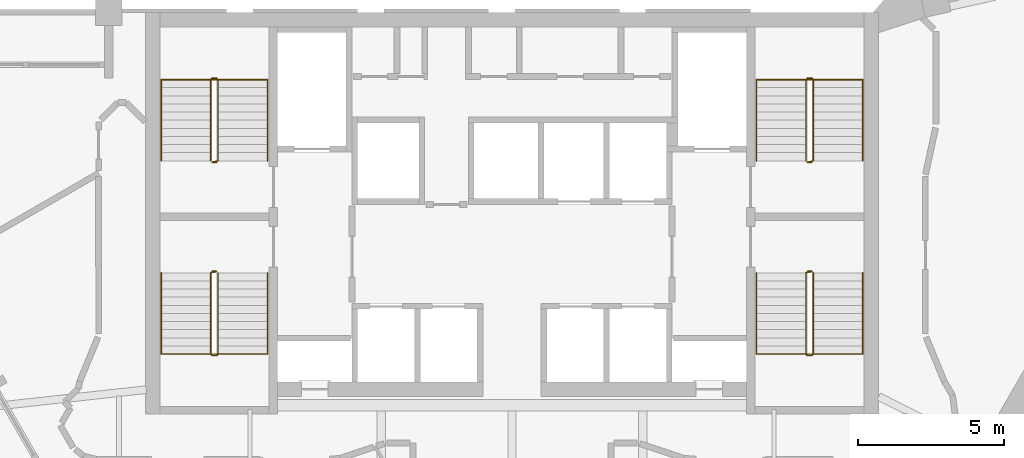
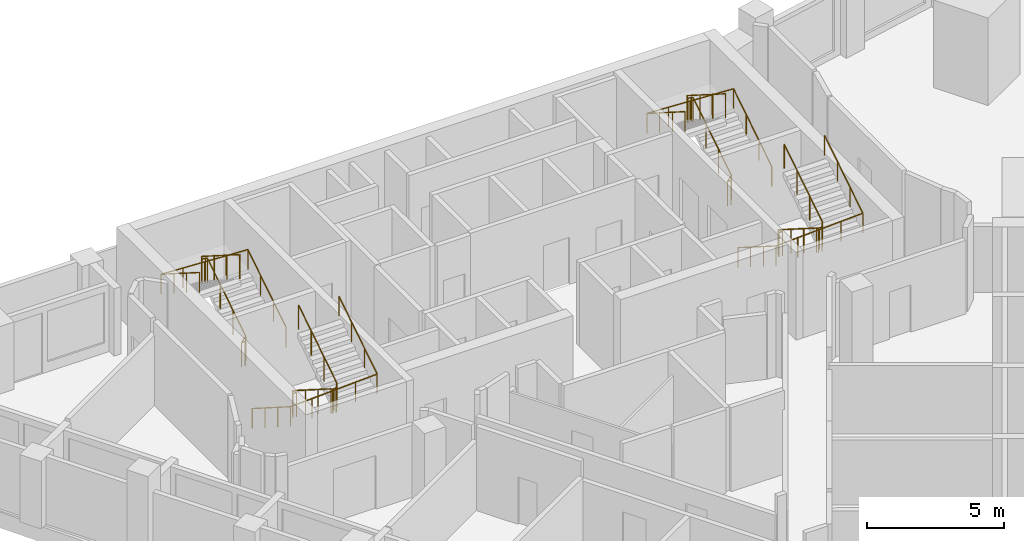
# One storey, part 8 of 8: 8 railings.
"""IFC4 building model written with IfcOpenShell, lengths in metres."""

from ifc_helpers import new_model, si_unit, direction, frame, origin, origin_2d, place, context, subcontext, project, spatial, circle, extrude, material, type_object, element, save


model = new_model("IFC4")

# Units and contexts
model_context = context("Model", 3, precision=1e-05, world=origin(), true_north=direction((0.0, 1.0)))
body_context = subcontext(model_context, "Body", "Model", "MODEL_VIEW")
ifc_project = project(units=[si_unit("LENGTHUNIT", "METRE"), si_unit("AREAUNIT", "SQUARE_METRE"), si_unit("VOLUMEUNIT", "CUBIC_METRE"), si_unit("PLANEANGLEUNIT", "RADIAN"), si_unit("MASSUNIT", "GRAM", prefix="KILO")], contexts=[model_context])

# Site, building, storey
site_placement = place(None, origin())
site = spatial("IfcSite", under=ifc_project, at=site_placement, CompositionType="ELEMENT")
building_placement = place(site_placement, origin())
building = spatial("IfcBuilding", under=site, at=building_placement, Name="Calabash Gate Tower", CompositionType="ELEMENT")
storey_placement = place(building_placement, frame((0.0, 0.0, 252.10009765625)))
storey = spatial("IfcBuildingStorey", under=building, at=storey_placement, Name="L60", CompositionType="ELEMENT", Elevation=252.10009765625)

# Railings
ifc_material_1 = material(Name="Black powder-coated steel balusters", Category="steel")
railing_type_1 = type_object("IfcRailingType", Name="Stair guard RL1100", PredefinedType="GUARDRAIL", material=ifc_material_1)
railing_1_placement = place(storey_placement, frame((-10.14990234375, 13.902587890625, 0.0)))
element("IfcRailing", 1, at=railing_1_placement, inside=storey, type_object=railing_type_1, Name="L60 ST1 stair guard 1", PredefinedType="GUARDRAIL", context=body_context, shape_type="SweptSolid", body=[
    extrude(circle(Radius=0.02392578125, at=origin_2d()), frame((0.0, 0.0, 1.076171875), z_axis=(-1.0, 0.0, 0.0), x_axis=(0.0, -1.0, 0.0)), (0.0, 0.0, 1.0), 0.150146484375),
    extrude(circle(Radius=0.02392578125, at=origin_2d()), frame((-0.150146484375, 0.0, 1.076171875), z_axis=(0.735524641326, 0.184105679453, 0.652003528208), x_axis=(-0.242814311512, 0.970072785993, 0.0)), (0.0, 0.0, 1.0), 0.271728515625),
    extrude(circle(Radius=0.02392578125, at=origin_2d()), frame((0.0498046875, 0.050048828125, 1.25341796875), z_axis=(0.0, 0.844041424197, 0.536277982245), x_axis=(-1.0, 0.0, 0.0)), (0.0, 0.0, 1.0), 3.3056640625),
    extrude(circle(Radius=0.02392578125, at=origin_2d()), frame((0.0498046875, 2.840087890625, 3.02587890625), z_axis=(-0.707106781187, 0.707106781187, 0.0), x_axis=(-0.707106781187, -0.707106781187, 0.0)), (0.0, 0.0, 1.0), 0.0703125),
    extrude(circle(Radius=0.02392578125, at=origin_2d()), frame((0.0, 2.889892578125, 3.02587890625), z_axis=(-1.0, 0.0, 0.0), x_axis=(0.0, -1.0, 0.0)), (0.0, 0.0, 1.0), 0.150146484375),
    extrude(circle(Radius=0.02392578125, at=origin_2d()), frame((-0.150146484375, 2.889892578125, 3.02587890625), z_axis=(-0.262321481514, -0.261041864531, 0.929001929653), x_axis=(0.705375805398, -0.708833529934, 0.0)), (0.0, 0.0, 1.0), 0.190673828125),
    extrude(circle(Radius=0.02392578125, at=origin_2d()), frame((-0.2001953125, 2.840087890625, 3.203125), z_axis=(0.0, -0.844041424197, 0.536277982245), x_axis=(1.0, 0.0, 0.0)), (0.0, 0.0, 1.0), 3.3056640625),
    extrude(circle(Radius=0.02099609375, at=origin_2d()), origin(), (0.0, 0.0, 1.0), 1.052001953125),
    extrude(circle(Radius=0.02099609375, at=origin_2d()), frame((-0.150146484375, 0.0, 0.0)), (0.0, 0.0, 1.0), 1.052001953125),
    extrude(circle(Radius=0.02099609375, at=origin_2d()), frame((0.0498046875, 0.050048828125, 0.17724609375)), (0.0, 0.0, 1.0), 1.052001953125),
    extrude(circle(Radius=0.02099609375, at=origin_2d()), frame((0.0498046875, 0.97998046875, 0.76806640625)), (0.0, 0.0, 1.0), 1.052001953125),
    extrude(circle(Radius=0.02099609375, at=origin_2d()), frame((0.0498046875, 1.91015625, 1.359130859375)), (0.0, 0.0, 1.0), 1.052001953125),
    extrude(circle(Radius=0.02099609375, at=origin_2d()), frame((0.0498046875, 2.840087890625, 1.949951171875)), (0.0, 0.0, 1.0), 1.052001953125),
    extrude(circle(Radius=0.02099609375, at=origin_2d()), frame((0.0, 2.889892578125, 1.949951171875)), (0.0, 0.0, 1.0), 1.052001953125),
    extrude(circle(Radius=0.02099609375, at=origin_2d()), frame((-0.150146484375, 2.889892578125, 1.949951171875)), (0.0, 0.0, 1.0), 1.052001953125),
    extrude(circle(Radius=0.02099609375, at=origin_2d()), frame((-0.2001953125, 2.840087890625, 2.127197265625)), (0.0, 0.0, 1.0), 1.052001953125),
    extrude(circle(Radius=0.02099609375, at=origin_2d()), frame((-0.2001953125, 1.91015625, 2.718017578125)), (0.0, 0.0, 1.0), 1.052001953125),
    extrude(circle(Radius=0.02099609375, at=origin_2d()), frame((-0.2001953125, 0.97998046875, 3.30908203125)), (0.0, 0.0, 1.0), 1.052001953125),
    extrude(circle(Radius=0.02099609375, at=origin_2d()), frame((-0.2001953125, 0.050048828125, 3.89990234375)), (0.0, 0.0, 1.0), 1.052001953125),
])
railing_2_placement = place(storey_placement, frame((-10.300048828125, 10.152587890625, 0.0)))
element("IfcRailing", 2, at=railing_2_placement, inside=storey, type_object=railing_type_1, Name="L60 ST2 stair guard 1", PredefinedType="GUARDRAIL", context=body_context, shape_type="SweptSolid", body=[
    extrude(circle(Radius=0.02392578125, at=origin_2d()), frame((0.0, 0.0, 1.076171875), z_axis=(1.0, 0.0, 0.0), x_axis=(0.0, 1.0, 0.0)), (0.0, 0.0, 1.0), 0.150146484375),
    extrude(circle(Radius=0.02392578125, at=origin_2d()), frame((0.150146484375, 0.0, 1.076171875), z_axis=(-0.735936453418, -0.183984113355, 0.651573006319), x_axis=(0.242535625036, -0.970142500145, 0.0)), (0.0, 0.0, 1.0), 0.27197265625),
    extrude(circle(Radius=0.02392578125, at=origin_2d()), frame((-0.050048828125, -0.050048828125, 1.25341796875), z_axis=(0.0, -0.844041424197, 0.536277982245), x_axis=(1.0, 0.0, 0.0)), (0.0, 0.0, 1.0), 3.3056640625),
    extrude(circle(Radius=0.02392578125, at=origin_2d()), frame((-0.050048828125, -2.840087890625, 3.02587890625), z_axis=(0.708833529934, -0.705375805398, 0.0), x_axis=(0.705375805398, 0.708833529934, 0.0)), (0.0, 0.0, 1.0), 0.070556640625),
    extrude(circle(Radius=0.02392578125, at=origin_2d()), frame((0.0, -2.889892578125, 3.02587890625), z_axis=(1.0, 0.0, 0.0), x_axis=(0.0, 1.0, 0.0)), (0.0, 0.0, 1.0), 0.150146484375),
    extrude(circle(Radius=0.02392578125, at=origin_2d()), frame((0.150146484375, -2.889892578125, 3.02587890625), z_axis=(0.261129318932, 0.261129318932, 0.929313164433), x_axis=(-0.707106781187, 0.707106781187, 0.0)), (0.0, 0.0, 1.0), 0.190673828125),
    extrude(circle(Radius=0.02392578125, at=origin_2d()), frame((0.199951171875, -2.840087890625, 3.203125), z_axis=(0.0, 0.844041424197, 0.536277982245), x_axis=(-1.0, 0.0, 0.0)), (0.0, 0.0, 1.0), 3.3056640625),
    extrude(circle(Radius=0.02099609375, at=origin_2d()), origin(), (0.0, 0.0, 1.0), 1.052001953125),
    extrude(circle(Radius=0.02099609375, at=origin_2d()), frame((0.150146484375, 0.0, 0.0)), (0.0, 0.0, 1.0), 1.052001953125),
    extrude(circle(Radius=0.02099609375, at=origin_2d()), frame((-0.050048828125, -0.050048828125, 0.17724609375)), (0.0, 0.0, 1.0), 1.052001953125),
    extrude(circle(Radius=0.02099609375, at=origin_2d()), frame((-0.050048828125, -0.97998046875, 0.76806640625)), (0.0, 0.0, 1.0), 1.052001953125),
    extrude(circle(Radius=0.02099609375, at=origin_2d()), frame((-0.050048828125, -1.91015625, 1.359130859375)), (0.0, 0.0, 1.0), 1.052001953125),
    extrude(circle(Radius=0.02099609375, at=origin_2d()), frame((-0.050048828125, -2.840087890625, 1.949951171875)), (0.0, 0.0, 1.0), 1.052001953125),
    extrude(circle(Radius=0.02099609375, at=origin_2d()), frame((0.0, -2.889892578125, 1.949951171875)), (0.0, 0.0, 1.0), 1.052001953125),
    extrude(circle(Radius=0.02099609375, at=origin_2d()), frame((0.150146484375, -2.889892578125, 1.949951171875)), (0.0, 0.0, 1.0), 1.052001953125),
    extrude(circle(Radius=0.02099609375, at=origin_2d()), frame((0.199951171875, -2.840087890625, 2.127197265625)), (0.0, 0.0, 1.0), 1.052001953125),
    extrude(circle(Radius=0.02099609375, at=origin_2d()), frame((0.199951171875, -1.91015625, 2.718017578125)), (0.0, 0.0, 1.0), 1.052001953125),
    extrude(circle(Radius=0.02099609375, at=origin_2d()), frame((0.199951171875, -0.97998046875, 3.30908203125)), (0.0, 0.0, 1.0), 1.052001953125),
    extrude(circle(Radius=0.02099609375, at=origin_2d()), frame((0.199951171875, -0.050048828125, 3.89990234375)), (0.0, 0.0, 1.0), 1.052001953125),
])
railing_3_placement = place(storey_placement, frame((10.300048828125, 13.902587890625, 0.0)))
element("IfcRailing", 3, at=railing_3_placement, inside=storey, type_object=railing_type_1, Name="L60 ST3 stair guard 1", PredefinedType="GUARDRAIL", context=body_context, shape_type="SweptSolid", body=[
    extrude(circle(Radius=0.02392578125, at=origin_2d()), frame((0.0, 0.0, 1.076171875), z_axis=(-1.0, 0.0, 0.0), x_axis=(0.0, -1.0, 0.0)), (0.0, 0.0, 1.0), 0.150146484375),
    extrude(circle(Radius=0.02392578125, at=origin_2d()), frame((-0.150146484375, 0.0, 1.076171875), z_axis=(0.735936453418, 0.183984113355, 0.651573006319), x_axis=(-0.242535625036, 0.970142500145, 0.0)), (0.0, 0.0, 1.0), 0.27197265625),
    extrude(circle(Radius=0.02392578125, at=origin_2d()), frame((0.050048828125, 0.050048828125, 1.25341796875), z_axis=(0.0, 0.844041424197, 0.536277982245), x_axis=(-1.0, 0.0, 0.0)), (0.0, 0.0, 1.0), 3.3056640625),
    extrude(circle(Radius=0.02392578125, at=origin_2d()), frame((0.050048828125, 2.840087890625, 3.02587890625), z_axis=(-0.708833529934, 0.705375805398, 0.0), x_axis=(-0.705375805398, -0.708833529934, 0.0)), (0.0, 0.0, 1.0), 0.070556640625),
    extrude(circle(Radius=0.02392578125, at=origin_2d()), frame((0.0, 2.889892578125, 3.02587890625), z_axis=(-1.0, 0.0, 0.0), x_axis=(0.0, -1.0, 0.0)), (0.0, 0.0, 1.0), 0.150146484375),
    extrude(circle(Radius=0.02392578125, at=origin_2d()), frame((-0.150146484375, 2.889892578125, 3.02587890625), z_axis=(-0.261129318932, -0.261129318932, 0.929313164433), x_axis=(0.707106781187, -0.707106781187, 0.0)), (0.0, 0.0, 1.0), 0.190673828125),
    extrude(circle(Radius=0.02392578125, at=origin_2d()), frame((-0.199951171875, 2.840087890625, 3.203125), z_axis=(0.0, -0.844041424197, 0.536277982245), x_axis=(1.0, 0.0, 0.0)), (0.0, 0.0, 1.0), 3.3056640625),
    extrude(circle(Radius=0.02099609375, at=origin_2d()), origin(), (0.0, 0.0, 1.0), 1.052001953125),
    extrude(circle(Radius=0.02099609375, at=origin_2d()), frame((-0.150146484375, 0.0, 0.0)), (0.0, 0.0, 1.0), 1.052001953125),
    extrude(circle(Radius=0.02099609375, at=origin_2d()), frame((0.050048828125, 0.050048828125, 0.17724609375)), (0.0, 0.0, 1.0), 1.052001953125),
    extrude(circle(Radius=0.02099609375, at=origin_2d()), frame((0.050048828125, 0.97998046875, 0.76806640625)), (0.0, 0.0, 1.0), 1.052001953125),
    extrude(circle(Radius=0.02099609375, at=origin_2d()), frame((0.050048828125, 1.91015625, 1.359130859375)), (0.0, 0.0, 1.0), 1.052001953125),
    extrude(circle(Radius=0.02099609375, at=origin_2d()), frame((0.050048828125, 2.840087890625, 1.949951171875)), (0.0, 0.0, 1.0), 1.052001953125),
    extrude(circle(Radius=0.02099609375, at=origin_2d()), frame((0.0, 2.889892578125, 1.949951171875)), (0.0, 0.0, 1.0), 1.052001953125),
    extrude(circle(Radius=0.02099609375, at=origin_2d()), frame((-0.150146484375, 2.889892578125, 1.949951171875)), (0.0, 0.0, 1.0), 1.052001953125),
    extrude(circle(Radius=0.02099609375, at=origin_2d()), frame((-0.199951171875, 2.840087890625, 2.127197265625)), (0.0, 0.0, 1.0), 1.052001953125),
    extrude(circle(Radius=0.02099609375, at=origin_2d()), frame((-0.199951171875, 1.91015625, 2.718017578125)), (0.0, 0.0, 1.0), 1.052001953125),
    extrude(circle(Radius=0.02099609375, at=origin_2d()), frame((-0.199951171875, 0.97998046875, 3.30908203125)), (0.0, 0.0, 1.0), 1.052001953125),
    extrude(circle(Radius=0.02099609375, at=origin_2d()), frame((-0.199951171875, 0.050048828125, 3.89990234375)), (0.0, 0.0, 1.0), 1.052001953125),
])
railing_4_placement = place(storey_placement, frame((10.14990234375, 10.152587890625, 0.0)))
element("IfcRailing", 4, at=railing_4_placement, inside=storey, type_object=railing_type_1, Name="L60 ST4 stair guard 1", PredefinedType="GUARDRAIL", context=body_context, shape_type="SweptSolid", body=[
    extrude(circle(Radius=0.02392578125, at=origin_2d()), frame((0.0, 0.0, 1.076171875), z_axis=(1.0, 0.0, 0.0), x_axis=(0.0, 1.0, 0.0)), (0.0, 0.0, 1.0), 0.150146484375),
    extrude(circle(Radius=0.02392578125, at=origin_2d()), frame((0.150146484375, 0.0, 1.076171875), z_axis=(-0.735524641326, -0.184105679453, 0.652003528208), x_axis=(0.242814311512, -0.970072785993, 0.0)), (0.0, 0.0, 1.0), 0.271728515625),
    extrude(circle(Radius=0.02392578125, at=origin_2d()), frame((-0.0498046875, -0.050048828125, 1.25341796875), z_axis=(0.0, -0.844041424197, 0.536277982245), x_axis=(1.0, 0.0, 0.0)), (0.0, 0.0, 1.0), 3.3056640625),
    extrude(circle(Radius=0.02392578125, at=origin_2d()), frame((-0.0498046875, -2.840087890625, 3.02587890625), z_axis=(0.707106781187, -0.707106781187, 0.0), x_axis=(0.707106781187, 0.707106781187, 0.0)), (0.0, 0.0, 1.0), 0.0703125),
    extrude(circle(Radius=0.02392578125, at=origin_2d()), frame((0.0, -2.889892578125, 3.02587890625), z_axis=(1.0, 0.0, 0.0), x_axis=(0.0, 1.0, 0.0)), (0.0, 0.0, 1.0), 0.150146484375),
    extrude(circle(Radius=0.02392578125, at=origin_2d()), frame((0.150146484375, -2.889892578125, 3.02587890625), z_axis=(0.262321481514, 0.261041864531, 0.929001929653), x_axis=(-0.705375805398, 0.708833529934, 0.0)), (0.0, 0.0, 1.0), 0.190673828125),
    extrude(circle(Radius=0.02392578125, at=origin_2d()), frame((0.2001953125, -2.840087890625, 3.203125), z_axis=(0.0, 0.844041424197, 0.536277982245), x_axis=(-1.0, 0.0, 0.0)), (0.0, 0.0, 1.0), 3.3056640625),
    extrude(circle(Radius=0.02099609375, at=origin_2d()), origin(), (0.0, 0.0, 1.0), 1.052001953125),
    extrude(circle(Radius=0.02099609375, at=origin_2d()), frame((0.150146484375, 0.0, 0.0)), (0.0, 0.0, 1.0), 1.052001953125),
    extrude(circle(Radius=0.02099609375, at=origin_2d()), frame((-0.0498046875, -0.050048828125, 0.17724609375)), (0.0, 0.0, 1.0), 1.052001953125),
    extrude(circle(Radius=0.02099609375, at=origin_2d()), frame((-0.0498046875, -0.97998046875, 0.76806640625)), (0.0, 0.0, 1.0), 1.052001953125),
    extrude(circle(Radius=0.02099609375, at=origin_2d()), frame((-0.0498046875, -1.91015625, 1.359130859375)), (0.0, 0.0, 1.0), 1.052001953125),
    extrude(circle(Radius=0.02099609375, at=origin_2d()), frame((-0.0498046875, -2.840087890625, 1.949951171875)), (0.0, 0.0, 1.0), 1.052001953125),
    extrude(circle(Radius=0.02099609375, at=origin_2d()), frame((0.0, -2.889892578125, 1.949951171875)), (0.0, 0.0, 1.0), 1.052001953125),
    extrude(circle(Radius=0.02099609375, at=origin_2d()), frame((0.150146484375, -2.889892578125, 1.949951171875)), (0.0, 0.0, 1.0), 1.052001953125),
    extrude(circle(Radius=0.02099609375, at=origin_2d()), frame((0.2001953125, -2.840087890625, 2.127197265625)), (0.0, 0.0, 1.0), 1.052001953125),
    extrude(circle(Radius=0.02099609375, at=origin_2d()), frame((0.2001953125, -1.91015625, 2.718017578125)), (0.0, 0.0, 1.0), 1.052001953125),
    extrude(circle(Radius=0.02099609375, at=origin_2d()), frame((0.2001953125, -0.97998046875, 3.30908203125)), (0.0, 0.0, 1.0), 1.052001953125),
    extrude(circle(Radius=0.02099609375, at=origin_2d()), frame((0.2001953125, -0.050048828125, 3.89990234375)), (0.0, 0.0, 1.0), 1.052001953125),
])
ifc_material_2 = material(Name="Black powder-coated steel tube 48 mm", Category="steel")
railing_type_2 = type_object("IfcRailingType", Name="Stair handrail RL900", PredefinedType="HANDRAIL", material=ifc_material_2)
railing_5_placement = place(storey_placement, frame((-8.39990234375, 13.95263671875, 0.17724609375)))
element("IfcRailing", 5, at=railing_5_placement, inside=storey, type_object=railing_type_2, Name="L60 ST1 stair handrail 1", PredefinedType="HANDRAIL", context=body_context, shape_type="SweptSolid", body=[
    extrude(circle(Radius=0.02392578125, at=origin_2d()), frame((0.0, 0.0, 0.8759765625), z_axis=(0.0, 0.844041424197, 0.536277982245), x_axis=(-1.0, 0.0, 0.0)), (0.0, 0.0, 1.0), 3.3056640625),
    extrude(circle(Radius=0.02392578125, at=origin_2d()), frame((0.0, 2.7900390625, 2.6484375), z_axis=(-0.998823110844, 0.0, 0.048501476722), x_axis=(0.0, -1.0, 0.0)), (0.0, 0.0, 1.0), 3.654541015625),
    extrude(circle(Radius=0.02392578125, at=origin_2d()), frame((-3.650146484375, 2.7900390625, 2.82568359375), z_axis=(0.0, -0.844041424197, 0.536277982245), x_axis=(1.0, 0.0, 0.0)), (0.0, 0.0, 1.0), 3.3056640625),
    extrude(circle(Radius=0.02099609375, at=origin_2d()), origin(), (0.0, 0.0, 1.0), 0.851806640625),
    extrude(circle(Radius=0.02099609375, at=origin_2d()), frame((0.0, 0.929931640625, 0.5908203125)), (0.0, 0.0, 1.0), 0.851806640625),
    extrude(circle(Radius=0.02099609375, at=origin_2d()), frame((0.0, 1.860107421875, 1.181884765625)), (0.0, 0.0, 1.0), 0.851806640625),
    extrude(circle(Radius=0.02099609375, at=origin_2d()), frame((0.0, 2.7900390625, 1.772705078125)), (0.0, 0.0, 1.0), 0.851806640625),
    extrude(circle(Radius=0.02099609375, at=origin_2d()), frame((-0.91259765625, 2.7900390625, 1.81689453125)), (0.0, 0.0, 1.0), 0.851806640625),
    extrude(circle(Radius=0.02099609375, at=origin_2d()), frame((-1.8251953125, 2.7900390625, 1.861328125)), (0.0, 0.0, 1.0), 0.851806640625),
    extrude(circle(Radius=0.02099609375, at=origin_2d()), frame((-2.737548828125, 2.7900390625, 1.90576171875)), (0.0, 0.0, 1.0), 0.851806640625),
    extrude(circle(Radius=0.02099609375, at=origin_2d()), frame((-3.650146484375, 2.7900390625, 1.949951171875)), (0.0, 0.0, 1.0), 0.851806640625),
    extrude(circle(Radius=0.02099609375, at=origin_2d()), frame((-3.650146484375, 1.860107421875, 2.540771484375)), (0.0, 0.0, 1.0), 0.851806640625),
    extrude(circle(Radius=0.02099609375, at=origin_2d()), frame((-3.650146484375, 0.929931640625, 3.1318359375)), (0.0, 0.0, 1.0), 0.851806640625),
    extrude(circle(Radius=0.02099609375, at=origin_2d()), frame((-3.650146484375, 0.0, 3.72265625)), (0.0, 0.0, 1.0), 0.851806640625),
])
railing_6_placement = place(storey_placement, frame((-12.050048828125, 10.1025390625, 0.17724609375)))
element("IfcRailing", 6, at=railing_6_placement, inside=storey, type_object=railing_type_2, Name="L60 ST2 stair handrail 1", PredefinedType="HANDRAIL", context=body_context, shape_type="SweptSolid", body=[
    extrude(circle(Radius=0.02392578125, at=origin_2d()), frame((0.0, 0.0, 0.8759765625), z_axis=(0.0, -0.844041424197, 0.536277982245), x_axis=(1.0, 0.0, 0.0)), (0.0, 0.0, 1.0), 3.3056640625),
    extrude(circle(Radius=0.02392578125, at=origin_2d()), frame((0.0, -2.7900390625, 2.6484375), z_axis=(0.998823110844, 0.0, 0.048501476722), x_axis=(0.0, 1.0, 0.0)), (0.0, 0.0, 1.0), 3.654541015625),
    extrude(circle(Radius=0.02392578125, at=origin_2d()), frame((3.650146484375, -2.7900390625, 2.82568359375), z_axis=(0.0, 0.844041424197, 0.536277982245), x_axis=(-1.0, 0.0, 0.0)), (0.0, 0.0, 1.0), 3.3056640625),
    extrude(circle(Radius=0.02099609375, at=origin_2d()), origin(), (0.0, 0.0, 1.0), 0.851806640625),
    extrude(circle(Radius=0.02099609375, at=origin_2d()), frame((0.0, -0.929931640625, 0.5908203125)), (0.0, 0.0, 1.0), 0.851806640625),
    extrude(circle(Radius=0.02099609375, at=origin_2d()), frame((0.0, -1.860107421875, 1.181884765625)), (0.0, 0.0, 1.0), 0.851806640625),
    extrude(circle(Radius=0.02099609375, at=origin_2d()), frame((0.0, -2.7900390625, 1.772705078125)), (0.0, 0.0, 1.0), 0.851806640625),
    extrude(circle(Radius=0.02099609375, at=origin_2d()), frame((0.91259765625, -2.7900390625, 1.81689453125)), (0.0, 0.0, 1.0), 0.851806640625),
    extrude(circle(Radius=0.02099609375, at=origin_2d()), frame((1.8251953125, -2.7900390625, 1.861328125)), (0.0, 0.0, 1.0), 0.851806640625),
    extrude(circle(Radius=0.02099609375, at=origin_2d()), frame((2.737548828125, -2.7900390625, 1.90576171875)), (0.0, 0.0, 1.0), 0.851806640625),
    extrude(circle(Radius=0.02099609375, at=origin_2d()), frame((3.650146484375, -2.7900390625, 1.949951171875)), (0.0, 0.0, 1.0), 0.851806640625),
    extrude(circle(Radius=0.02099609375, at=origin_2d()), frame((3.650146484375, -1.860107421875, 2.540771484375)), (0.0, 0.0, 1.0), 0.851806640625),
    extrude(circle(Radius=0.02099609375, at=origin_2d()), frame((3.650146484375, -0.929931640625, 3.1318359375)), (0.0, 0.0, 1.0), 0.851806640625),
    extrude(circle(Radius=0.02099609375, at=origin_2d()), frame((3.650146484375, 0.0, 3.72265625)), (0.0, 0.0, 1.0), 0.851806640625),
])
railing_7_placement = place(storey_placement, frame((12.050048828125, 13.95263671875, 0.17724609375)))
element("IfcRailing", 7, at=railing_7_placement, inside=storey, type_object=railing_type_2, Name="L60 ST3 stair handrail 1", PredefinedType="HANDRAIL", context=body_context, shape_type="SweptSolid", body=[
    extrude(circle(Radius=0.02392578125, at=origin_2d()), frame((0.0, 0.0, 0.8759765625), z_axis=(0.0, 0.844041424197, 0.536277982245), x_axis=(-1.0, 0.0, 0.0)), (0.0, 0.0, 1.0), 3.3056640625),
    extrude(circle(Radius=0.02392578125, at=origin_2d()), frame((0.0, 2.7900390625, 2.6484375), z_axis=(-0.998823110844, 0.0, 0.048501476722), x_axis=(0.0, -1.0, 0.0)), (0.0, 0.0, 1.0), 3.654541015625),
    extrude(circle(Radius=0.02392578125, at=origin_2d()), frame((-3.650146484375, 2.7900390625, 2.82568359375), z_axis=(0.0, -0.844041424197, 0.536277982245), x_axis=(1.0, 0.0, 0.0)), (0.0, 0.0, 1.0), 3.3056640625),
    extrude(circle(Radius=0.02099609375, at=origin_2d()), origin(), (0.0, 0.0, 1.0), 0.851806640625),
    extrude(circle(Radius=0.02099609375, at=origin_2d()), frame((0.0, 0.929931640625, 0.5908203125)), (0.0, 0.0, 1.0), 0.851806640625),
    extrude(circle(Radius=0.02099609375, at=origin_2d()), frame((0.0, 1.860107421875, 1.181884765625)), (0.0, 0.0, 1.0), 0.851806640625),
    extrude(circle(Radius=0.02099609375, at=origin_2d()), frame((0.0, 2.7900390625, 1.772705078125)), (0.0, 0.0, 1.0), 0.851806640625),
    extrude(circle(Radius=0.02099609375, at=origin_2d()), frame((-0.91259765625, 2.7900390625, 1.81689453125)), (0.0, 0.0, 1.0), 0.851806640625),
    extrude(circle(Radius=0.02099609375, at=origin_2d()), frame((-1.8251953125, 2.7900390625, 1.861328125)), (0.0, 0.0, 1.0), 0.851806640625),
    extrude(circle(Radius=0.02099609375, at=origin_2d()), frame((-2.737548828125, 2.7900390625, 1.90576171875)), (0.0, 0.0, 1.0), 0.851806640625),
    extrude(circle(Radius=0.02099609375, at=origin_2d()), frame((-3.650146484375, 2.7900390625, 1.949951171875)), (0.0, 0.0, 1.0), 0.851806640625),
    extrude(circle(Radius=0.02099609375, at=origin_2d()), frame((-3.650146484375, 1.860107421875, 2.540771484375)), (0.0, 0.0, 1.0), 0.851806640625),
    extrude(circle(Radius=0.02099609375, at=origin_2d()), frame((-3.650146484375, 0.929931640625, 3.1318359375)), (0.0, 0.0, 1.0), 0.851806640625),
    extrude(circle(Radius=0.02099609375, at=origin_2d()), frame((-3.650146484375, 0.0, 3.72265625)), (0.0, 0.0, 1.0), 0.851806640625),
])
railing_8_placement = place(storey_placement, frame((8.39990234375, 10.1025390625, 0.17724609375)))
element("IfcRailing", 8, at=railing_8_placement, inside=storey, type_object=railing_type_2, Name="L60 ST4 stair handrail 1", PredefinedType="HANDRAIL", context=body_context, shape_type="SweptSolid", body=[
    extrude(circle(Radius=0.02392578125, at=origin_2d()), frame((0.0, 0.0, 0.8759765625), z_axis=(0.0, -0.844041424197, 0.536277982245), x_axis=(1.0, 0.0, 0.0)), (0.0, 0.0, 1.0), 3.3056640625),
    extrude(circle(Radius=0.02392578125, at=origin_2d()), frame((0.0, -2.7900390625, 2.6484375), z_axis=(0.998823110844, 0.0, 0.048501476722), x_axis=(0.0, 1.0, 0.0)), (0.0, 0.0, 1.0), 3.654541015625),
    extrude(circle(Radius=0.02392578125, at=origin_2d()), frame((3.650146484375, -2.7900390625, 2.82568359375), z_axis=(0.0, 0.844041424197, 0.536277982245), x_axis=(-1.0, 0.0, 0.0)), (0.0, 0.0, 1.0), 3.3056640625),
    extrude(circle(Radius=0.02099609375, at=origin_2d()), origin(), (0.0, 0.0, 1.0), 0.851806640625),
    extrude(circle(Radius=0.02099609375, at=origin_2d()), frame((0.0, -0.929931640625, 0.5908203125)), (0.0, 0.0, 1.0), 0.851806640625),
    extrude(circle(Radius=0.02099609375, at=origin_2d()), frame((0.0, -1.860107421875, 1.181884765625)), (0.0, 0.0, 1.0), 0.851806640625),
    extrude(circle(Radius=0.02099609375, at=origin_2d()), frame((0.0, -2.7900390625, 1.772705078125)), (0.0, 0.0, 1.0), 0.851806640625),
    extrude(circle(Radius=0.02099609375, at=origin_2d()), frame((0.91259765625, -2.7900390625, 1.81689453125)), (0.0, 0.0, 1.0), 0.851806640625),
    extrude(circle(Radius=0.02099609375, at=origin_2d()), frame((1.8251953125, -2.7900390625, 1.861328125)), (0.0, 0.0, 1.0), 0.851806640625),
    extrude(circle(Radius=0.02099609375, at=origin_2d()), frame((2.737548828125, -2.7900390625, 1.90576171875)), (0.0, 0.0, 1.0), 0.851806640625),
    extrude(circle(Radius=0.02099609375, at=origin_2d()), frame((3.650146484375, -2.7900390625, 1.949951171875)), (0.0, 0.0, 1.0), 0.851806640625),
    extrude(circle(Radius=0.02099609375, at=origin_2d()), frame((3.650146484375, -1.860107421875, 2.540771484375)), (0.0, 0.0, 1.0), 0.851806640625),
    extrude(circle(Radius=0.02099609375, at=origin_2d()), frame((3.650146484375, -0.929931640625, 3.1318359375)), (0.0, 0.0, 1.0), 0.851806640625),
    extrude(circle(Radius=0.02099609375, at=origin_2d()), frame((3.650146484375, 0.0, 3.72265625)), (0.0, 0.0, 1.0), 0.851806640625),
])

save(model, "model.ifc")
